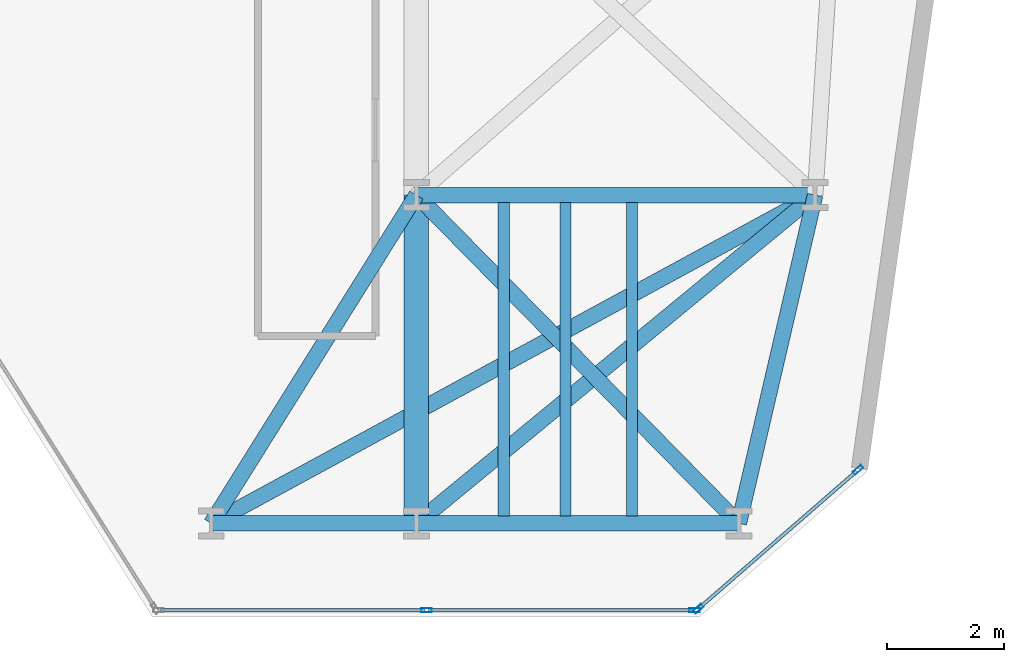
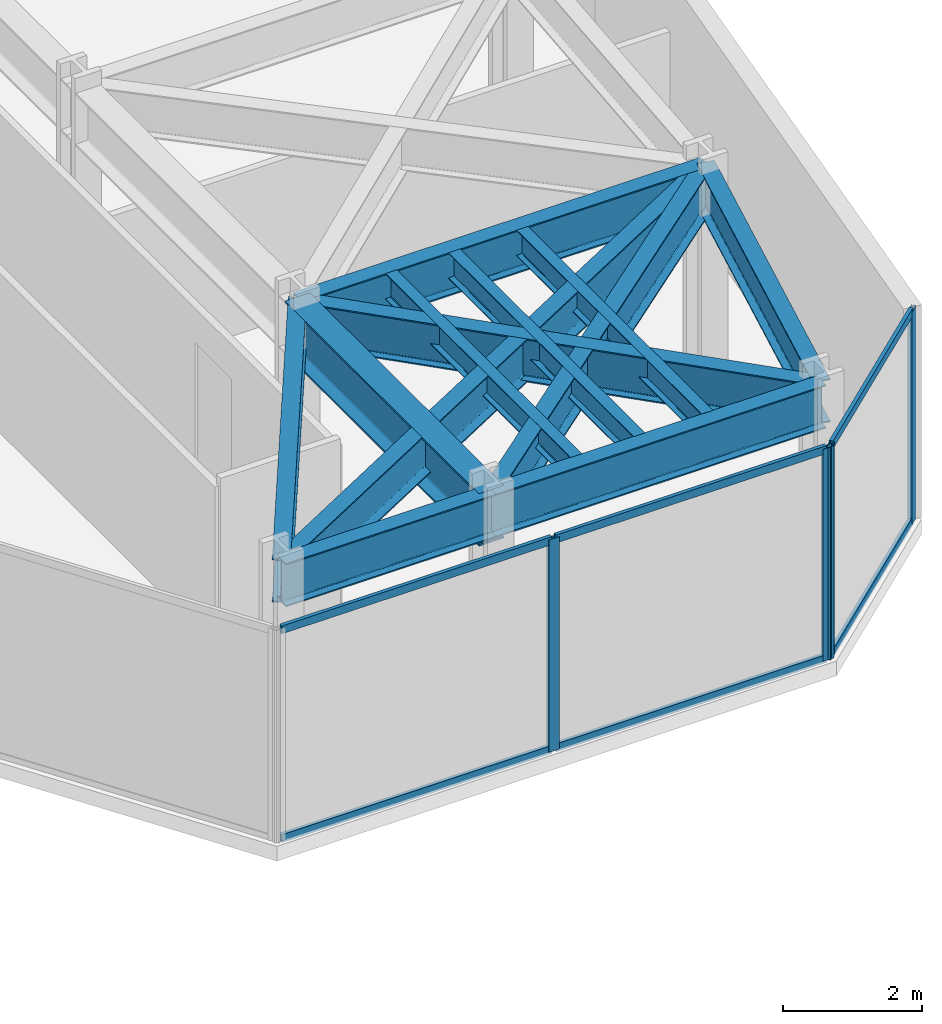
# One storey, part 13 of 24: 12 beams, 10 members, 2 elements without a shape of their own.
"""IFC4 building model written with IfcOpenShell, lengths in metres."""

from ifc_helpers import new_model, si_unit, direction, frame, origin, origin_2d, place, context, subcontext, project, spatial, hollow_rectangle, i_section, extrude, material, layer, layer_set, material_profile, profile_set, type_object, element, aggregate, save


model = new_model("IFC4")

# Units and contexts
model_context = context("Model", 3, precision=1e-05, world=origin(), true_north=direction((0.0, 1.0)))
body_context = subcontext(model_context, "Body", "Model", "MODEL_VIEW")
ifc_project = project(units=[si_unit("LENGTHUNIT", "METRE"), si_unit("AREAUNIT", "SQUARE_METRE"), si_unit("VOLUMEUNIT", "CUBIC_METRE"), si_unit("PLANEANGLEUNIT", "RADIAN"), si_unit("MASSUNIT", "GRAM", prefix="KILO")], contexts=[model_context])

# Site, building, storey
site_placement = place(None, origin())
site = spatial("IfcSite", under=ifc_project, at=site_placement, CompositionType="ELEMENT")
building_placement = place(site_placement, origin())
building = spatial("IfcBuilding", under=site, at=building_placement, Name="Kravanh Interchange Tower", CompositionType="ELEMENT")
storey_placement = place(building_placement, frame((0.0, 0.0, 45.5)))
storey = spatial("IfcBuildingStorey", under=building, at=storey_placement, Name="L10", CompositionType="ELEMENT", Elevation=45.5)

# Curtain wall, members
ifc_material_1 = material(Name="Anodised Bronze Aluminium", Category="aluminium")
ifc_layer = layer(ifc_material_1, 0.179931640625)
ifc_layer_set = layer_set([ifc_layer], Name="Unitised Curtain Wall System CW-Z1 Lower Office")
curtain_wall_type = type_object("IfcCurtainWallType", Name="Unitised Curtain Wall System CW-Z1 Lower Office", PredefinedType="NOTDEFINED", material=ifc_layer_set)
curtain_wall_1_placement = place(storey_placement, origin())
curtain_wall_1 = element("IfcCurtainWall", 1, at=curtain_wall_1_placement, inside=storey, type_object=curtain_wall_type, Name="L10 Unitised Curtain Wall CW-L10-02", PredefinedType="NOTDEFINED")
ifc_material_2 = material(Name="Anodised Bronze Aluminium", Category="aluminium")
ifc_material_profile_1 = material_profile(ifc_material_2, hollow_rectangle(XDim=0.070068359375, YDim=0.179931640625, WallThickness=0.00390625, at=origin_2d()), Name="ALU70X180X4")
ifc_profile_set_1 = profile_set([ifc_material_profile_1], Name="Anodised Bronze Aluminium")
member_type_1 = type_object("IfcMemberType", Name="Curtain Wall Mullion ALU70X180X4 Bronze", PredefinedType="MULLION", material=ifc_profile_set_1)
member_1_placement = place(storey_placement, frame((63.533203125, 3.513916015625, 0.0), z_axis=(0.0, 0.0, 1.0), x_axis=(0.656060422341, -0.754708368999, 0.0)))
member_1 = element("IfcMember", 2, at=member_1_placement, type_object=member_type_1, Name="CW-Z1 mullion 1", PredefinedType="MULLION", context=body_context, shape_type="SweptSolid", body=[
    extrude(hollow_rectangle(XDim=0.070068359375, YDim=0.179931640625, WallThickness=0.00390625, at=origin_2d()), origin(), (0.0, 0.0, 1.0), 3.739990234375),
])
member_2_placement = place(storey_placement, frame((60.805908203125, 1.14306640625, 0.0), z_axis=(0.0, 0.0, 1.0), x_axis=(0.656060422341, -0.754708368999, 0.0)))
member_2 = element("IfcMember", 3, at=member_2_placement, type_object=member_type_1, Name="CW-Z1 mullion 2", PredefinedType="MULLION", context=body_context, shape_type="SweptSolid", body=[
    extrude(hollow_rectangle(XDim=0.070068359375, YDim=0.179931640625, WallThickness=0.00390625, at=origin_2d()), origin(), (0.0, 0.0, 1.0), 3.739990234375),
])

curtain_wall_2_placement = place(storey_placement, origin())
curtain_wall_2 = element("IfcCurtainWall", 4, at=curtain_wall_2_placement, inside=storey, type_object=curtain_wall_type, Name="L10 Unitised Curtain Wall CW-L10-03", PredefinedType="NOTDEFINED")
member_3_placement = place(storey_placement, frame((60.744384765625, 1.1201171875, 0.0), z_axis=(0.0, 0.0, 1.0), x_axis=(0.0, -1.0, 0.0)))
member_3 = element("IfcMember", 5, at=member_3_placement, type_object=member_type_1, Name="CW-Z1 mullion 1", PredefinedType="MULLION", context=body_context, shape_type="SweptSolid", body=[
    extrude(hollow_rectangle(XDim=0.070068359375, YDim=0.179931640625, WallThickness=0.00390625, at=origin_2d()), origin(), (0.0, 0.0, 1.0), 3.739990234375),
])
member_4_placement = place(storey_placement, frame((56.1728515625, 1.1201171875, 0.0), z_axis=(0.0, 0.0, 1.0), x_axis=(0.0, -1.0, 0.0)))
member_4 = element("IfcMember", 6, at=member_4_placement, type_object=member_type_1, Name="CW-Z1 mullion 2", PredefinedType="MULLION", context=body_context, shape_type="SweptSolid", body=[
    extrude(hollow_rectangle(XDim=0.070068359375, YDim=0.179931640625, WallThickness=0.00390625, at=origin_2d()), origin(), (0.0, 0.0, 1.0), 3.739990234375),
])

# Member
ifc_material_3 = material(Name="Anodised Bronze Aluminium", Category="aluminium")
ifc_material_profile_2 = material_profile(ifc_material_3, hollow_rectangle(XDim=0.06005859375, YDim=0.139892578125, WallThickness=0.00390625, at=origin_2d()), Name="ALU60X140X4")
ifc_profile_set_2 = profile_set([ifc_material_profile_2], Name="Anodised Bronze Aluminium")
member_type_2 = type_object("IfcMemberType", Name="Curtain Wall Transom ALU60X140X4 Bronze", PredefinedType="USERDEFINED", material=ifc_profile_set_2)
member_5_placement = place(storey_placement, frame((63.5068359375, 3.490966796875, 0.030029296875), z_axis=(-0.754710815466, -0.656057608004, 0.0), x_axis=(0.656057608004, -0.754710815466, 0.0)))
member_5 = element("IfcMember", 7, at=member_5_placement, type_object=member_type_2, Name="CW-Z1 transom 1.1", ObjectType="TRANSOM", PredefinedType="USERDEFINED", context=body_context, shape_type="SweptSolid", body=[
    extrude(hollow_rectangle(XDim=0.06005859375, YDim=0.139892578125, WallThickness=0.00390625, at=origin_2d()), origin(), (0.0, 0.0, 1.0), 3.543701171875),
])

member_6_placement = place(storey_placement, frame((63.5068359375, 3.490966796875, 3.7099609375), z_axis=(-0.754710815466, -0.656057608004, 0.0), x_axis=(0.656057608004, -0.754710815466, 0.0)))
member_6 = element("IfcMember", 8, at=member_6_placement, type_object=member_type_2, Name="CW-Z1 transom 1.2", ObjectType="TRANSOM", PredefinedType="USERDEFINED", context=body_context, shape_type="SweptSolid", body=[
    extrude(hollow_rectangle(XDim=0.06005859375, YDim=0.139892578125, WallThickness=0.00390625, at=origin_2d()), origin(), (0.0, 0.0, 1.0), 3.543701171875),
])

aggregate(curtain_wall_1, [member_1, member_2, member_5, member_6])

member_7_placement = place(storey_placement, frame((60.70947265625, 1.1201171875, 0.030029296875), z_axis=(-1.0, 0.0, 0.0), x_axis=(0.0, -1.0, 0.0)))
member_7 = element("IfcMember", 9, at=member_7_placement, type_object=member_type_2, Name="CW-Z1 transom 1.1", ObjectType="TRANSOM", PredefinedType="USERDEFINED", context=body_context, shape_type="SweptSolid", body=[
    extrude(hollow_rectangle(XDim=0.06005859375, YDim=0.139892578125, WallThickness=0.00390625, at=origin_2d()), origin(), (0.0, 0.0, 1.0), 4.501708984375),
])

member_8_placement = place(storey_placement, frame((60.70947265625, 1.1201171875, 3.7099609375), z_axis=(-1.0, 0.0, 0.0), x_axis=(0.0, -1.0, 0.0)))
member_8 = element("IfcMember", 10, at=member_8_placement, type_object=member_type_2, Name="CW-Z1 transom 1.2", ObjectType="TRANSOM", PredefinedType="USERDEFINED", context=body_context, shape_type="SweptSolid", body=[
    extrude(hollow_rectangle(XDim=0.06005859375, YDim=0.139892578125, WallThickness=0.00390625, at=origin_2d()), origin(), (0.0, 0.0, 1.0), 4.501708984375),
])

member_9_placement = place(storey_placement, frame((56.1376953125, 1.1201171875, 0.030029296875), z_axis=(-1.0, 0.0, 0.0), x_axis=(0.0, -1.0, 0.0)))
member_9 = element("IfcMember", 11, at=member_9_placement, type_object=member_type_2, Name="CW-Z1 transom 2.1", ObjectType="TRANSOM", PredefinedType="USERDEFINED", context=body_context, shape_type="SweptSolid", body=[
    extrude(hollow_rectangle(XDim=0.06005859375, YDim=0.139892578125, WallThickness=0.00390625, at=origin_2d()), origin(), (0.0, 0.0, 1.0), 4.50146484375),
])

member_10_placement = place(storey_placement, frame((56.1376953125, 1.1201171875, 3.7099609375), z_axis=(-1.0, 0.0, 0.0), x_axis=(0.0, -1.0, 0.0)))
member_10 = element("IfcMember", 12, at=member_10_placement, type_object=member_type_2, Name="CW-Z1 transom 2.2", ObjectType="TRANSOM", PredefinedType="USERDEFINED", context=body_context, shape_type="SweptSolid", body=[
    extrude(hollow_rectangle(XDim=0.06005859375, YDim=0.139892578125, WallThickness=0.00390625, at=origin_2d()), origin(), (0.0, 0.0, 1.0), 4.50146484375),
])

aggregate(curtain_wall_2, [member_3, member_4, member_7, member_8, member_9, member_10])

# Beams
ifc_material_4 = material(Name="Structural Steel S355", Category="steel")
ifc_material_profile_3 = material_profile(ifc_material_4, i_section(OverallWidth=0.41796875, OverallDepth=0.927001953125, WebThickness=0.019287109375, FlangeThickness=0.031982421875, FilletRadius=0.028076171875, at=origin_2d()), Name="W36X231")
ifc_profile_set_3 = profile_set([ifc_material_profile_3], Name="Structural Steel S355")
beam_type_1 = type_object("IfcBeamType", Name="Floor Beam W36X231 Structural Steel S355", PredefinedType="BEAM", material=ifc_profile_set_3)
beam_1_placement = place(storey_placement, frame((56.0, 2.60009765625, 3.276611328125), z_axis=(0.0, 1.0, 0.0), x_axis=(-1.0, 0.0, 0.0)))
element("IfcBeam", 13, at=beam_1_placement, inside=storey, type_object=beam_type_1, Name="L10 Primary Floor Girder 129", PredefinedType="BEAM", context=body_context, shape_type="SweptSolid", body=[
    extrude(i_section(OverallWidth=0.41796875, OverallDepth=0.927001953125, WebThickness=0.019287109375, FlangeThickness=0.031982421875, FilletRadius=0.028076171875, at=origin_2d()), origin(), (0.0, 0.0, 1.0), 5.599853515625),
])
ifc_material_5 = material(Name="Structural Steel S355", Category="steel")
ifc_material_profile_4 = material_profile(ifc_material_5, i_section(OverallWidth=0.18994140625, OverallDepth=0.45703125, WebThickness=0.009033203125, FlangeThickness=0.014404296875, FilletRadius=0.01806640625, at=origin_2d()), Name="W18X50")
ifc_profile_set_4 = profile_set([ifc_material_profile_4], Name="Structural Steel S355")
beam_type_2 = type_object("IfcBeamType", Name="Floor Joist W18X50 Structural Steel S355", PredefinedType="JOIST", material=ifc_profile_set_4)
for number, where, z_axis, x_axis, name in (
    (14, (57.489990234375, 2.728515625, 3.511474609375), (0.0, 1.0, 0.0), (-1.0, 0.0, 0.0), "L10 Secondary Floor Joist 7"),
    (15, (58.5400390625, 2.728515625, 3.511474609375), (0.0, 1.0, 0.0), (-1.0, 0.0, 0.0), "L10 Secondary Floor Joist 8"),
    (16, (59.674072265625, 2.728515625, 3.511474609375), (0.0, 1.0, 0.0), (-1.0, 0.0, 0.0), "L10 Secondary Floor Joist 9"),
):
    element("IfcBeam", number, at=place(storey_placement, frame(where, z_axis=z_axis, x_axis=x_axis)), inside=storey, type_object=beam_type_2, Name=name, PredefinedType="JOIST", context=body_context, shape_type="SweptSolid", body=[
        extrude(i_section(OverallWidth=0.18994140625, OverallDepth=0.45703125, WebThickness=0.009033203125, FlangeThickness=0.014404296875, FilletRadius=0.01806640625, at=origin_2d()), origin(), (0.0, 0.0, 1.0), 5.343017578125),
    ])
ifc_material_6 = material(Name="Structural Steel S355", Category="steel")
ifc_material_profile_5 = material_profile(ifc_material_6, i_section(OverallWidth=0.26708984375, OverallDepth=0.761962890625, WebThickness=0.014404296875, FlangeThickness=0.021484375, FilletRadius=0.02490234375, at=origin_2d()), Name="W30X116")
ifc_profile_set_5 = profile_set([ifc_material_profile_5], Name="Structural Steel S355")
beam_type_3 = type_object("IfcBeamType", Name="Floor Spandrel W30X116 Structural Steel S355", PredefinedType="SPANDREL", material=ifc_profile_set_5)
beam_2_placement = place(storey_placement, frame((52.5, 2.60009765625, 3.35888671875), z_axis=(1.0, 0.0, 0.0), x_axis=(0.0, 1.0, 0.0)))
element("IfcBeam", 17, at=beam_2_placement, inside=storey, type_object=beam_type_3, Name="L10 Perimeter Spandrel 125", PredefinedType="SPANDREL", context=body_context, shape_type="SweptSolid", body=[
    extrude(i_section(OverallWidth=0.26708984375, OverallDepth=0.761962890625, WebThickness=0.014404296875, FlangeThickness=0.021484375, FilletRadius=0.02490234375, at=origin_2d()), origin(), (0.0, 0.0, 1.0), 3.5),
])
beam_3_placement = place(storey_placement, frame((52.5, 2.60009765625, 3.35888671875), z_axis=(0.530008909536, 0.847992072965, 0.0), x_axis=(-0.847992072965, 0.530008909536, 0.0)))
element("IfcBeam", 18, at=beam_3_placement, inside=storey, type_object=beam_type_3, Name="L10 Perimeter Spandrel 126", PredefinedType="SPANDREL", context=body_context, shape_type="SweptSolid", body=[
    extrude(i_section(OverallWidth=0.26708984375, OverallDepth=0.761962890625, WebThickness=0.014404296875, FlangeThickness=0.021484375, FilletRadius=0.02490234375, at=origin_2d()), origin(), (0.0, 0.0, 1.0), 6.603759765625),
])
beam_4_placement = place(storey_placement, frame((52.5, 2.60009765625, 3.35888671875), z_axis=(0.878552895081, 0.47764506754, 0.0), x_axis=(-0.47764506754, 0.878552895081, 0.0)))
element("IfcBeam", 19, at=beam_4_placement, inside=storey, type_object=beam_type_3, Name="L10 Perimeter Spandrel 127", PredefinedType="SPANDREL", context=body_context, shape_type="SweptSolid", body=[
    extrude(i_section(OverallWidth=0.26708984375, OverallDepth=0.761962890625, WebThickness=0.014404296875, FlangeThickness=0.021484375, FilletRadius=0.02490234375, at=origin_2d()), origin(), (0.0, 0.0, 1.0), 11.723876953125),
])
beam_5_placement = place(storey_placement, frame((56.0, 2.60009765625, 3.35888671875), z_axis=(1.0, 0.0, 0.0), x_axis=(0.0, 1.0, 0.0)))
element("IfcBeam", 20, at=beam_5_placement, inside=storey, type_object=beam_type_3, Name="L10 Perimeter Spandrel 128", PredefinedType="SPANDREL", context=body_context, shape_type="SweptSolid", body=[
    extrude(i_section(OverallWidth=0.26708984375, OverallDepth=0.761962890625, WebThickness=0.014404296875, FlangeThickness=0.021484375, FilletRadius=0.02490234375, at=origin_2d()), origin(), (0.0, 0.0, 1.0), 5.5),
])
beam_6_placement = place(storey_placement, frame((56.0, 2.60009765625, 3.35888671875), z_axis=(0.771940635711, 0.635694623965, 0.0), x_axis=(-0.635694623965, 0.771940635711, 0.0)))
element("IfcBeam", 21, at=beam_6_placement, inside=storey, type_object=beam_type_3, Name="L10 Perimeter Spandrel 130", PredefinedType="SPANDREL", context=body_context, shape_type="SweptSolid", body=[
    extrude(i_section(OverallWidth=0.26708984375, OverallDepth=0.761962890625, WebThickness=0.014404296875, FlangeThickness=0.021484375, FilletRadius=0.02490234375, at=origin_2d()), origin(), (0.0, 0.0, 1.0), 8.80908203125),
])
beam_7_placement = place(storey_placement, frame((61.5, 2.60009765625, 3.35888671875), z_axis=(0.226143379252, 0.974094026273, 0.0), x_axis=(-0.974094026273, 0.226143379252, 0.0)))
element("IfcBeam", 22, at=beam_7_placement, inside=storey, type_object=beam_type_3, Name="L10 Perimeter Spandrel 131", PredefinedType="SPANDREL", context=body_context, shape_type="SweptSolid", body=[
    extrude(i_section(OverallWidth=0.26708984375, OverallDepth=0.761962890625, WebThickness=0.014404296875, FlangeThickness=0.021484375, FilletRadius=0.02490234375, at=origin_2d()), origin(), (0.0, 0.0, 1.0), 5.748779296875),
])
beam_8_placement = place(storey_placement, frame((61.5, 2.60009765625, 3.35888671875), z_axis=(-0.700717344595, 0.71343899738, 0.0), x_axis=(-0.71343899738, -0.700717344595, 0.0)))
element("IfcBeam", 23, at=beam_8_placement, inside=storey, type_object=beam_type_3, Name="L10 Perimeter Spandrel 132", PredefinedType="SPANDREL", context=body_context, shape_type="SweptSolid", body=[
    extrude(i_section(OverallWidth=0.26708984375, OverallDepth=0.761962890625, WebThickness=0.014404296875, FlangeThickness=0.021484375, FilletRadius=0.02490234375, at=origin_2d()), origin(), (0.0, 0.0, 1.0), 7.84912109375),
])
beam_9_placement = place(storey_placement, frame((56.0, 8.199951171875, 3.35888671875), z_axis=(1.0, 0.0, 0.0), x_axis=(0.0, 1.0, 0.0)))
element("IfcBeam", 24, at=beam_9_placement, inside=storey, type_object=beam_type_3, Name="L10 Perimeter Spandrel 142", PredefinedType="SPANDREL", context=body_context, shape_type="SweptSolid", body=[
    extrude(i_section(OverallWidth=0.26708984375, OverallDepth=0.761962890625, WebThickness=0.014404296875, FlangeThickness=0.021484375, FilletRadius=0.02490234375, at=origin_2d()), origin(), (0.0, 0.0, 1.0), 6.800048828125),
])

save(model, "model.ifc")
